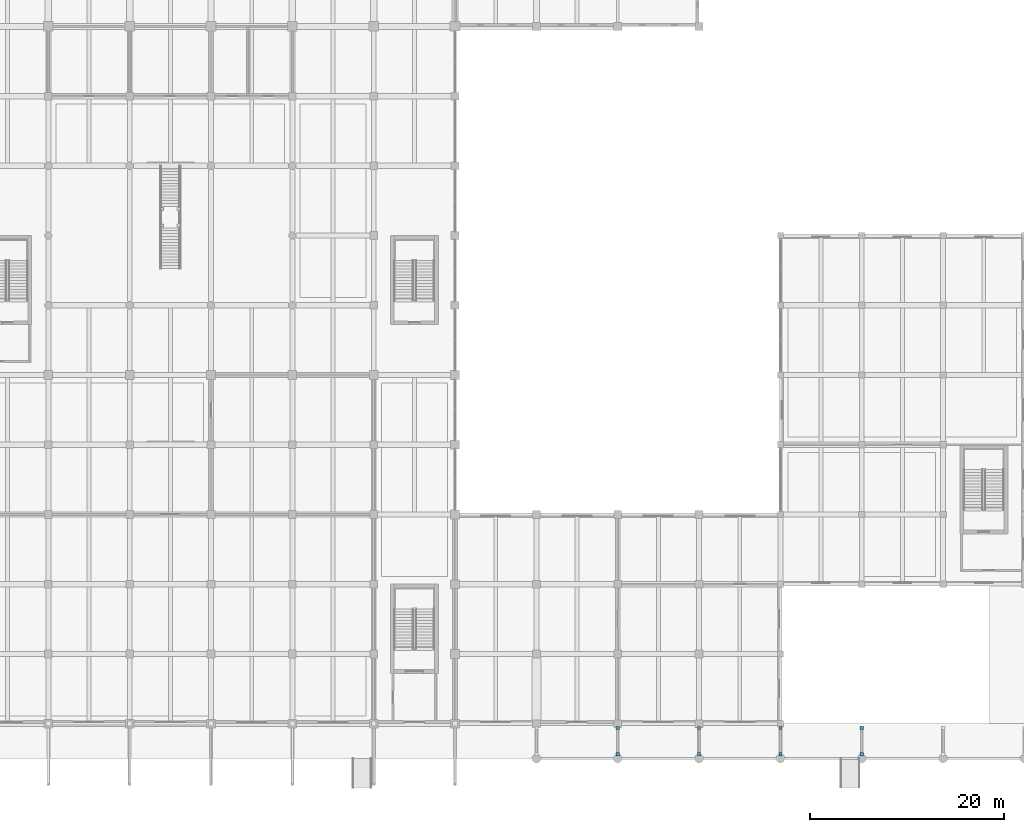
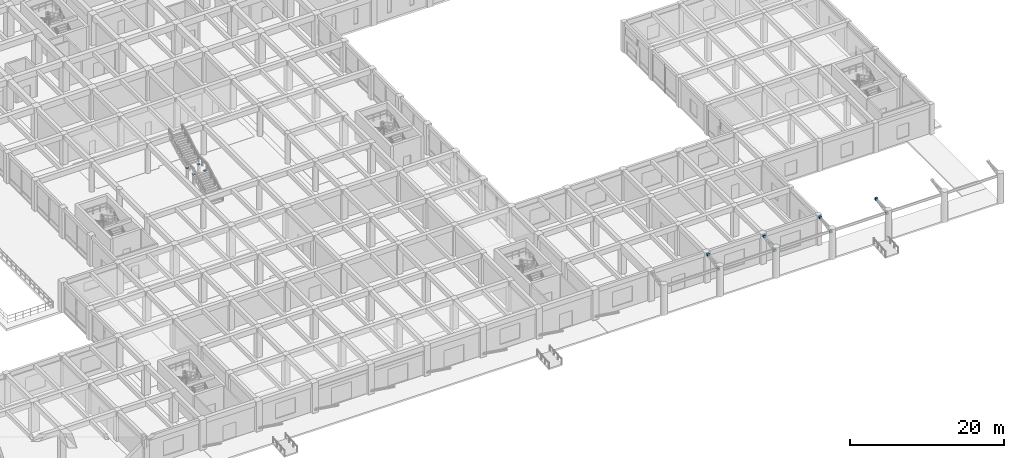
# One storey, part 23 of 49: 12 plates.
"""IFC4 building model written with IfcOpenShell, lengths in metres."""

from ifc_helpers import new_model, si_unit, direction, frame, origin, origin_2d, place, context, subcontext, project, spatial, rectangle, extrude, material, layer, layer_set, type_object, element, save


model = new_model("IFC4")

# Units and contexts
model_context = context("Model", 3, precision=1e-05, world=origin(), true_north=direction((0.0, 1.0)))
body_context = subcontext(model_context, "Body", "Model", "MODEL_VIEW")
ifc_project = project(units=[si_unit("LENGTHUNIT", "METRE"), si_unit("AREAUNIT", "SQUARE_METRE"), si_unit("VOLUMEUNIT", "CUBIC_METRE"), si_unit("PLANEANGLEUNIT", "RADIAN"), si_unit("MASSUNIT", "GRAM", prefix="KILO")], contexts=[model_context])

# Site, building, storey
site_placement = place(None, origin())
site = spatial("IfcSite", under=ifc_project, at=site_placement, CompositionType="ELEMENT")
building_placement = place(site_placement, origin())
building = spatial("IfcBuilding", under=site, at=building_placement, Name="Kenerak Square Central Library", CompositionType="ELEMENT")
storey_placement = place(building_placement, origin())
storey = spatial("IfcBuildingStorey", under=building, at=storey_placement, Name="L00", CompositionType="ELEMENT", Elevation=0.0)

# Plates
ifc_material = material(Name="Steel S355", Category="steel")
ifc_layer = layer(ifc_material, 0.02490234375)
ifc_layer_set = layer_set([ifc_layer], Name="Steel S355")
plate_type = type_object("IfcPlateType", Name="Lantern Cap Plate LNP-01 25mm S355", PredefinedType="USERDEFINED", material=ifc_layer_set)
for number, where, z_axis, x_axis, name in (
    (1, (134.0, 13.64990234375, 3.72998046875), (0.0, 0.0, 1.0), (1.0, 0.0, 0.0), "Colonnade Tie Cleat Plate LNP-01 08-S"),
    (2, (134.0, 16.35009765625, 4.330078125), (0.0, 0.0, 1.0), (1.0, 0.0, 0.0), "Colonnade Tie Cleat Plate LNP-01 08-N"),
    (3, (142.39990234375, 13.64990234375, 3.72998046875), (0.0, 0.0, 1.0), (1.0, 0.0, 0.0), "Colonnade Tie Cleat Plate LNP-01 09-S"),
    (4, (142.39990234375, 16.35009765625, 4.330078125), (0.0, 0.0, 1.0), (1.0, 0.0, 0.0), "Colonnade Tie Cleat Plate LNP-01 09-N"),
    (5, (150.800048828125, 13.64990234375, 3.72998046875), (0.0, 0.0, 1.0), (1.0, 0.0, 0.0), "Colonnade Tie Cleat Plate LNP-01 10-S"),
    (6, (150.800048828125, 16.35009765625, 4.330078125), (0.0, 0.0, 1.0), (1.0, 0.0, 0.0), "Colonnade Tie Cleat Plate LNP-01 10-N"),
    (7, (159.199951171875, 13.64990234375, 3.72998046875), (0.0, 0.0, 1.0), (1.0, 0.0, 0.0), "Colonnade Tie Cleat Plate LNP-01 11-S"),
    (8, (159.199951171875, 16.35009765625, 4.330078125), (0.0, 0.0, 1.0), (1.0, 0.0, 0.0), "Colonnade Tie Cleat Plate LNP-01 11-N"),
):
    element("IfcPlate", number, at=place(storey_placement, frame(where, z_axis=z_axis, x_axis=x_axis)), inside=storey, type_object=plate_type, Name=name, ObjectType="GUSSET PLATE", PredefinedType="USERDEFINED", context=body_context, shape_type="SweptSolid", body=[
        extrude(rectangle(XDim=0.340087890625, YDim=0.340087890625, at=origin_2d()), origin(), (0.0, 0.0, 1.0), 0.340087890625),
    ])
for number, where, z_axis, x_axis, name in (
    (9, (86.949951171875, 68.25, 2.179931640625), (0.0, 0.0, 1.0), (1.0, 0.0, 0.0), "Feature Stair Post Cap ST-F1"),
    (10, (88.64990234375, 68.25, 2.179931640625), (0.0, 0.0, 1.0), (1.0, 0.0, 0.0), "Feature Stair Post Cap ST-F1"),
    (11, (86.949951171875, 69.949951171875, 2.179931640625), (0.0, 0.0, 1.0), (1.0, 0.0, 0.0), "Feature Stair Post Cap ST-F1"),
    (12, (88.64990234375, 69.949951171875, 2.179931640625), (0.0, 0.0, 1.0), (1.0, 0.0, 0.0), "Feature Stair Post Cap ST-F1"),
):
    element("IfcPlate", number, at=place(storey_placement, frame(where, z_axis=z_axis, x_axis=x_axis)), inside=storey, type_object=plate_type, Name=name, ObjectType="GUSSET PLATE", PredefinedType="USERDEFINED", context=body_context, shape_type="SweptSolid", body=[
        extrude(rectangle(XDim=0.320068359375, YDim=0.320068359375, at=origin_2d()), origin(), (0.0, 0.0, 1.0), 0.0400390625),
    ])

save(model, "model.ifc")
